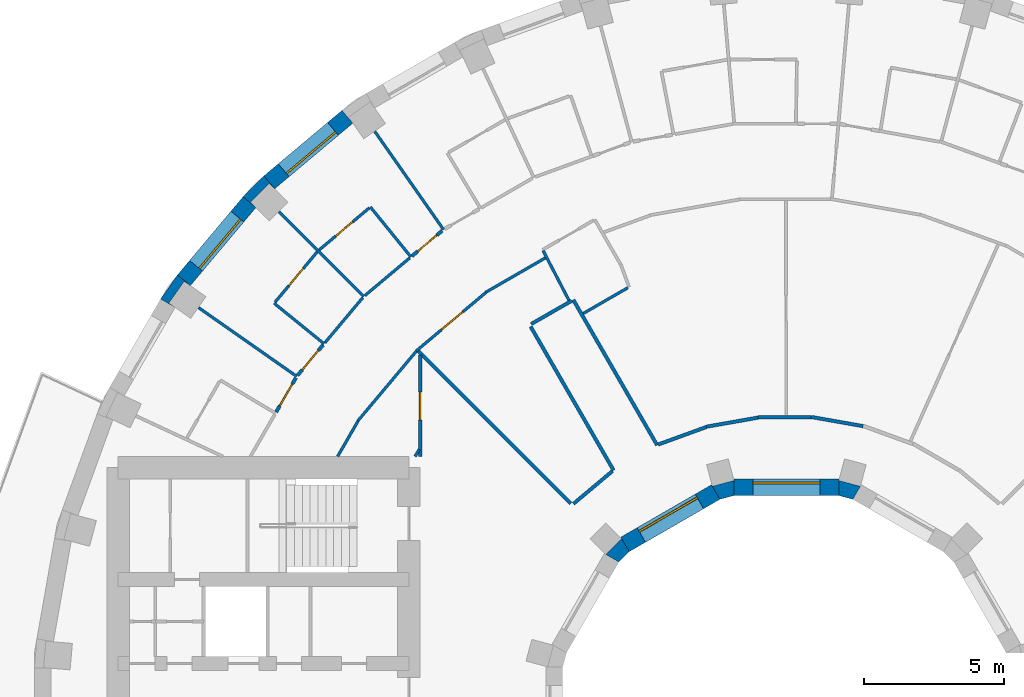
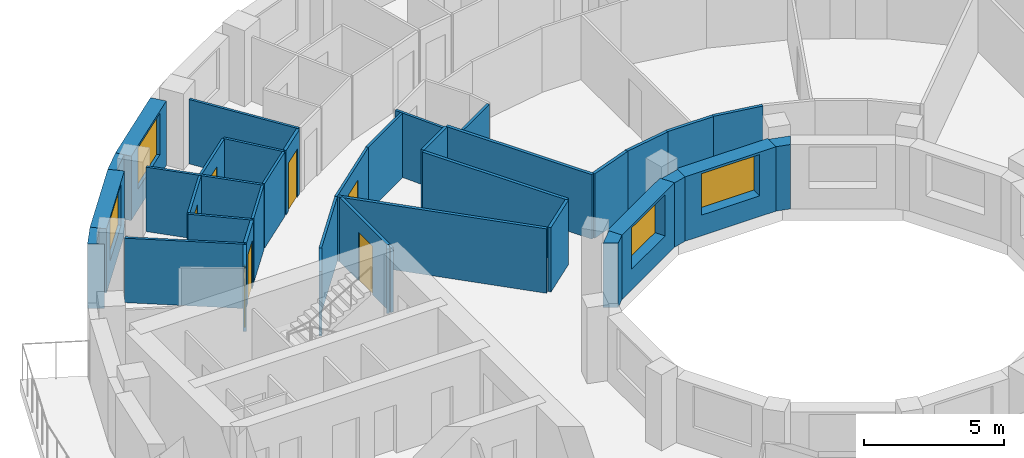
# One storey, part 8 of 13: 38 walls, 7 doors, 4 windows, 11 openings.
"""IFC4 building model written with IfcOpenShell, lengths in metres."""

from ifc_helpers import new_model, si_unit, direction, frame, frame_2d, origin, place, context, subcontext, project, spatial, polyline, rectangle, outline, extrude, material, layer, layer_set, type_object, element, fill, save


model = new_model("IFC4")

# Units and contexts
model_context = context("Model", 3, precision=1e-05, world=origin(), true_north=direction((0.0, 1.0)))
body_context = subcontext(model_context, "Body", "Model", "MODEL_VIEW")
ifc_project = project(units=[si_unit("LENGTHUNIT", "METRE"), si_unit("AREAUNIT", "SQUARE_METRE"), si_unit("VOLUMEUNIT", "CUBIC_METRE"), si_unit("PLANEANGLEUNIT", "RADIAN"), si_unit("MASSUNIT", "GRAM", prefix="KILO")], contexts=[model_context])

# Site, building, storey
site_placement = place(None, origin())
site = spatial("IfcSite", under=ifc_project, at=site_placement, CompositionType="ELEMENT")
building_placement = place(site_placement, origin())
building = spatial("IfcBuilding", under=site, at=building_placement, Name="Saqina Gate Tower", CompositionType="ELEMENT")
storey_placement = place(building_placement, frame((0.0, 0.0, 118.300048828125)))
storey = spatial("IfcBuildingStorey", under=building, at=storey_placement, Name="L33", CompositionType="ELEMENT", Elevation=118.300048828125)

# Walls
ifc_material_1 = material(Name="Brick masonry (buff)", Category="masonry")
wall_type_1 = type_object("IfcWallType", Name="BRICK PIER COPING BUFF", PredefinedType="SOLIDWALL", material=ifc_material_1)
wall_1_placement = place(storey_placement, origin())
element("IfcWall", 1, at=wall_1_placement, inside=storey, type_object=wall_type_1, Name="Pier cap L33 column 14", PredefinedType="SOLIDWALL", context=body_context, shape_type="SweptSolid", body=[
    extrude(outline(polyline([(-18.686279296875, 19.43212890625), (-19.43212890625, 18.686279296875), (-18.972412109375, 18.30078125), (-19.16259765625, 18.49072265625), (-18.49072265625, 19.16259765625), (-18.30078125, 18.972412109375), (-18.686279296875, 19.43212890625)])), origin(), (0.0, 0.0, 1.0), 2.800048828125),
])
wall_2_placement = place(storey_placement, origin())
element("IfcWall", 2, at=wall_2_placement, inside=storey, type_object=wall_type_1, Name="Pier cap L33 column 15", PredefinedType="SOLIDWALL", context=body_context, shape_type="SweptSolid", body=[
    extrude(outline(polyline([(-22.3818359375, 15.0283203125), (-21.862060546875, 14.728271484375), (-22.08251953125, 14.88232421875), (-21.53759765625, 15.66064453125), (-21.317138671875, 15.50634765625), (-21.77685546875, 15.89208984375), (-22.3818359375, 15.0283203125)])), origin(), (0.0, 0.0, 1.0), 2.800048828125),
])

# Wall, opening, window
ifc_material_2 = material(Name="Brick masonry (buff)", Category="masonry")
ifc_layer_1 = layer(ifc_material_2, 0.60009765625)
ifc_layer_set_1 = layer_set([ifc_layer_1], Name="FW-BRICK-BUFF")
wall_type_2 = type_object("IfcWallType", Name="FW-BRICK-BUFF", PredefinedType="SOLIDWALL", material=ifc_layer_set_1)
wall_3_placement = place(storey_placement, frame((-15.69921875, 21.547119140625, 0.0), z_axis=(0.0, 0.0, 1.0), x_axis=(-0.766055462616, -0.642774476932, 0.0)))
wall_3 = element("IfcWall", 3, at=wall_3_placement, inside=storey, type_object=wall_type_2, Name="Facade wall L33 facet 13", PredefinedType="SOLIDWALL", context=body_context, shape_type="SweptSolid", body=[
    extrude(rectangle(XDim=3.647705078125, YDim=0.60009765625, at=frame_2d((1.82373046875, 0.0))), origin(), (0.0, 0.0, 1.0), 2.800048828125),
])
opening_1_placement = place(wall_3_placement, frame((0.673828125, 0.0, 0.89990234375)))
opening_1 = element("IfcOpeningElement", 4, at=opening_1_placement, cuts=wall_3, Name="Opening G09-W11", PredefinedType="OPENING", context=body_context, shape_type="SweptSolid", body=[
    extrude(rectangle(XDim=2.300048828125, YDim=1.800048828125, at=frame_2d((1.14990234375, 0.89990234375))), frame((0.0, 0.31201171875, 0.0), z_axis=(0.0, -1.0, 0.0), x_axis=(1.0, 0.0, 0.0)), (0.0, 0.0, 1.0), 0.6240234375),
])
ifc_material_3 = material(Name="Aluminium glazing", Category="aluminium")
window_type_1 = type_object("IfcWindowType", Name="WN-B", PartitioningType="SINGLE_PANEL", PredefinedType="WINDOW", material=ifc_material_3)
window_1_placement = place(opening_1_placement, origin())
window_1 = element("IfcWindow", 5, at=window_1_placement, inside=storey, type_object=window_type_1, Name="Window L33 facet 13", OverallHeight=1.800048828125, OverallWidth=2.300048828125, PartitioningType="SINGLE_PANEL", PredefinedType="WINDOW", context=body_context, shape_type="SweptSolid", body=[
    extrude(rectangle(XDim=2.300048828125, YDim=1.800048828125, at=frame_2d((1.14990234375, 0.89990234375))), frame((0.0, 0.179931640625, 0.0), z_axis=(0.0, -1.0, 0.0), x_axis=(1.0, 0.0, 0.0)), (0.0, 0.0, 1.0), 0.06005859375),
])
fill(opening_1, window_1)

wall_4_placement = place(storey_placement, frame((-19.202392578125, 18.49365234375, 0.0), z_axis=(0.0, 0.0, 1.0), x_axis=(-0.642774476932, -0.766055462616, 0.0)))
wall_4 = element("IfcWall", 6, at=wall_4_placement, inside=storey, type_object=wall_type_2, Name="Facade wall L33 facet 14", PredefinedType="SOLIDWALL", context=body_context, shape_type="SweptSolid", body=[
    extrude(rectangle(XDim=3.647705078125, YDim=0.60009765625, at=frame_2d((1.82373046875, 0.0))), origin(), (0.0, 0.0, 1.0), 2.800048828125),
])
opening_2_placement = place(wall_4_placement, frame((0.673828125, 0.0, 0.89990234375)))
opening_2 = element("IfcOpeningElement", 7, at=opening_2_placement, cuts=wall_4, Name="Opening G09-W12", PredefinedType="OPENING", context=body_context, shape_type="SweptSolid", body=[
    extrude(rectangle(XDim=2.300048828125, YDim=1.800048828125, at=frame_2d((1.14990234375, 0.89990234375))), frame((0.0, 0.31201171875, 0.0), z_axis=(0.0, -1.0, 0.0), x_axis=(1.0, 0.0, 0.0)), (0.0, 0.0, 1.0), 0.6240234375),
])
window_2_placement = place(opening_2_placement, origin())
window_2 = element("IfcWindow", 8, at=window_2_placement, inside=storey, type_object=window_type_1, Name="Window L33 facet 14", OverallHeight=1.800048828125, OverallWidth=2.300048828125, PartitioningType="SINGLE_PANEL", PredefinedType="WINDOW", context=body_context, shape_type="SweptSolid", body=[
    extrude(rectangle(XDim=2.300048828125, YDim=1.800048828125, at=frame_2d((1.14990234375, 0.89990234375))), frame((0.0, 0.179931640625, 0.0), z_axis=(0.0, -1.0, 0.0), x_axis=(1.0, 0.0, 0.0)), (0.0, 0.0, 1.0), 0.06005859375),
])
fill(opening_2, window_2)

ifc_material_4 = material(Name="Glazed ceramic tile", Category="ceramic")
ifc_layer_2 = layer(ifc_material_4, 0.60009765625)
ifc_layer_set_2 = layer_set([ifc_layer_2], Name="IW-TILE")
wall_type_3 = type_object("IfcWallType", Name="IW-TILE", PredefinedType="SOLIDWALL", material=ifc_layer_set_2)
wall_5_placement = place(storey_placement, frame((1.873779296875, 8.300048828125, 0.0), z_axis=(0.0, 0.0, 1.0), x_axis=(-1.0, 0.0, 0.0)))
wall_5 = element("IfcWall", 9, at=wall_5_placement, inside=storey, type_object=wall_type_3, Name="Well wall L33 facet 3", PredefinedType="SOLIDWALL", context=body_context, shape_type="SweptSolid", body=[
    extrude(rectangle(XDim=3.74755859375, YDim=0.60009765625, at=frame_2d((1.873779296875, 0.0))), origin(), (0.0, 0.0, 1.0), 2.800048828125),
])
opening_3_placement = place(wall_5_placement, frame((0.673583984375, 0.0, 0.89990234375)))
opening_3 = element("IfcOpeningElement", 10, at=opening_3_placement, cuts=wall_5, Name="Opening G09-W28", PredefinedType="OPENING", context=body_context, shape_type="SweptSolid", body=[
    extrude(rectangle(XDim=2.39990234375, YDim=1.800048828125, at=frame_2d((1.199951171875, 0.89990234375))), frame((0.0, 0.31201171875, 0.0), z_axis=(0.0, -1.0, 0.0), x_axis=(1.0, 0.0, 0.0)), (0.0, 0.0, 1.0), 0.6240234375),
])
ifc_material_5 = material(Name="Aluminium glazing", Category="aluminium")
window_type_2 = type_object("IfcWindowType", Name="WN-W", PartitioningType="SINGLE_PANEL", PredefinedType="WINDOW", material=ifc_material_5)
window_3_placement = place(opening_3_placement, origin())
window_3 = element("IfcWindow", 11, at=window_3_placement, inside=storey, type_object=window_type_2, Name="Well window L33 facet 3", OverallHeight=1.800048828125, OverallWidth=2.39990234375, PartitioningType="SINGLE_PANEL", PredefinedType="WINDOW", context=body_context, shape_type="SweptSolid", body=[
    extrude(rectangle(XDim=2.39990234375, YDim=1.800048828125, at=frame_2d((1.199951171875, 0.89990234375))), frame((0.0, -0.119873046875, 0.0), z_axis=(0.0, -1.0, 0.0), x_axis=(1.0, 0.0, 0.0)), (0.0, 0.0, 1.0), 0.06005859375),
])
fill(opening_3, window_3)

wall_6_placement = place(storey_placement, frame((-2.52734375, 8.124755859375, 0.0), z_axis=(0.0, 0.0, 1.0), x_axis=(-0.86604563398, -0.499964958637, 0.0)))
wall_6 = element("IfcWall", 12, at=wall_6_placement, inside=storey, type_object=wall_type_3, Name="Well wall L33 facet 4", PredefinedType="SOLIDWALL", context=body_context, shape_type="SweptSolid", body=[
    extrude(rectangle(XDim=3.747314453125, YDim=0.60009765625, at=frame_2d((1.87353515625, 0.0))), origin(), (0.0, 0.0, 1.0), 2.800048828125),
])
opening_4_placement = place(wall_6_placement, frame((0.673583984375, 0.0, 0.89990234375)))
opening_4 = element("IfcOpeningElement", 13, at=opening_4_placement, cuts=wall_6, Name="Opening G09-W29", PredefinedType="OPENING", context=body_context, shape_type="SweptSolid", body=[
    extrude(rectangle(XDim=2.39990234375, YDim=1.800048828125, at=frame_2d((1.199951171875, 0.89990234375))), frame((0.0, 0.31201171875, 0.0), z_axis=(0.0, -1.0, 0.0), x_axis=(1.0, 0.0, 0.0)), (0.0, 0.0, 1.0), 0.6240234375),
])
window_4_placement = place(opening_4_placement, origin())
window_4 = element("IfcWindow", 14, at=window_4_placement, inside=storey, type_object=window_type_2, Name="Well window L33 facet 4", OverallHeight=1.800048828125, OverallWidth=2.39990234375, PartitioningType="SINGLE_PANEL", PredefinedType="WINDOW", context=body_context, shape_type="SweptSolid", body=[
    extrude(rectangle(XDim=2.39990234375, YDim=1.800048828125, at=frame_2d((1.199951171875, 0.89990234375))), frame((0.0, -0.119873046875, 0.0), z_axis=(0.0, -1.0, 0.0), x_axis=(1.0, 0.0, 0.0)), (0.0, 0.0, 1.0), 0.06005859375),
])
fill(opening_4, window_4)

# Walls
ifc_material_6 = material(Name="Gypsum board on steel studs, 100 mm", Category="steel")
ifc_layer_3 = layer(ifc_material_6, 0.10009765625)
ifc_layer_set_3 = layer_set([ifc_layer_3], Name="PARTITION 100")
wall_type_4 = type_object("IfcWallType", Name="PARTITION 100", PredefinedType="PARTITIONING", material=ifc_layer_set_3)
wall_7_placement = place(storey_placement, frame((-8.69873046875, 16.755859375, 0.0), z_axis=(0.0, 0.0, 1.0), x_axis=(0.461029785453, -0.887384661195, 0.0)))
element("IfcWall", 15, at=wall_7_placement, inside=storey, type_object=wall_type_4, Name="PARTITION PW3-10", PredefinedType="PARTITIONING", context=body_context, shape_type="SweptSolid", body=[
    extrude(rectangle(XDim=1.99951171875, YDim=0.10009765625, at=frame_2d((0.999755859375, 0.0))), origin(), (0.0, 0.0, 1.0), 2.800048828125),
])
wall_8_placement = place(storey_placement, frame((-14.720703125, 21.023681640625, 0.0), z_axis=(0.0, 0.0, 1.0), x_axis=(0.573546429028, -0.819173054824, 0.0)))
element("IfcWall", 16, at=wall_8_placement, inside=storey, type_object=wall_type_4, Name="PARTITION PW3-16", PredefinedType="PARTITIONING", context=body_context, shape_type="SweptSolid", body=[
    extrude(rectangle(XDim=4.286865234375, YDim=0.10009765625, at=frame_2d((2.1435546875, 0.0))), origin(), (0.0, 0.0, 1.0), 2.800048828125),
])
wall_9_placement = place(storey_placement, frame((-14.8779296875, 18.320068359375, 0.0), z_axis=(0.0, 0.0, 1.0), x_axis=(0.630256971768, -0.776386597989, 0.0)))
element("IfcWall", 17, at=wall_9_placement, inside=storey, type_object=wall_type_4, Name="PARTITION PW3-18", PredefinedType="PARTITIONING", context=body_context, shape_type="SweptSolid", body=[
    extrude(rectangle(XDim=2.300537109375, YDim=0.10009765625, at=frame_2d((1.150390625, 0.0))), origin(), (0.0, 0.0, 1.0), 2.800048828125),
])
wall_10_placement = place(storey_placement, frame((-18.14794921875, 18.14794921875, 0.0), z_axis=(0.0, 0.0, 1.0), x_axis=(0.707106781187, -0.707106781187, 0.0)))
element("IfcWall", 18, at=wall_10_placement, inside=storey, type_object=wall_type_4, Name="PARTITION PW3-23", PredefinedType="PARTITIONING", context=body_context, shape_type="SweptSolid", body=[
    extrude(rectangle(XDim=4.286376953125, YDim=0.10009765625, at=frame_2d((2.14306640625, 0.0))), origin(), (0.0, 0.0, 1.0), 2.800048828125),
])
wall_11_placement = place(storey_placement, frame((-18.320068359375, 14.8779296875, 0.0), z_axis=(0.0, 0.0, 1.0), x_axis=(0.776386597989, -0.630256971768, 0.0)))
element("IfcWall", 19, at=wall_11_placement, inside=storey, type_object=wall_type_4, Name="PARTITION PW3-28", PredefinedType="PARTITIONING", context=body_context, shape_type="SweptSolid", body=[
    extrude(rectangle(XDim=2.300537109375, YDim=0.10009765625, at=frame_2d((1.150390625, 0.0))), origin(), (0.0, 0.0, 1.0), 2.800048828125),
])
wall_12_placement = place(storey_placement, frame((-21.023681640625, 14.720703125, 0.0), z_axis=(0.0, 0.0, 1.0), x_axis=(0.819173054824, -0.573546429028, 0.0)))
element("IfcWall", 20, at=wall_12_placement, inside=storey, type_object=wall_type_4, Name="PARTITION PW3-29", PredefinedType="PARTITIONING", context=body_context, shape_type="SweptSolid", body=[
    extrude(rectangle(XDim=4.286865234375, YDim=0.10009765625, at=frame_2d((2.1435546875, 0.0))), origin(), (0.0, 0.0, 1.0), 2.800048828125),
])
wall_13_placement = place(storey_placement, frame((-7.2666015625, 14.510498046875, 0.0), z_axis=(0.0, 0.0, 1.0), x_axis=(0.865945322787, 0.500138678712, 0.0)))
element("IfcWall", 21, at=wall_13_placement, inside=storey, type_object=wall_type_4, Name="PARTITION PW3-67", PredefinedType="PARTITIONING", context=body_context, shape_type="SweptSolid", body=[
    extrude(rectangle(XDim=1.8447265625, YDim=0.10009765625, at=frame_2d((0.92236328125, 0.0))), origin(), (0.0, 0.0, 1.0), 2.800048828125),
])
wall_14_placement = place(storey_placement, frame((-10.7529296875, 15.2685546875, 0.0), z_axis=(0.0, 0.0, 1.0), x_axis=(0.866079862983, 0.499905662036, 0.0)))
element("IfcWall", 22, at=wall_14_placement, inside=storey, type_object=wall_type_4, Name="PARTITION PW3-68", PredefinedType="PARTITIONING", context=body_context, shape_type="SweptSolid", body=[
    extrude(rectangle(XDim=2.4609375, YDim=0.10009765625, at=frame_2d((1.23046875, 0.0))), origin(), (0.0, 0.0, 1.0), 2.800048828125),
])

# Wall, opening, door
wall_15_placement = place(storey_placement, frame((-13.240966796875, 13.16943359375, 0.0), z_axis=(0.0, 0.0, 1.0), x_axis=(0.766028328168, 0.642806814248, 0.0)))
wall_15 = element("IfcWall", 23, at=wall_15_placement, inside=storey, type_object=wall_type_4, Name="PARTITION PW3-74", PredefinedType="PARTITIONING", context=body_context, shape_type="SweptSolid", body=[
    extrude(rectangle(XDim=3.25537109375, YDim=0.10009765625, at=frame_2d((1.627685546875, 0.0))), origin(), (0.0, 0.0, 1.0), 2.800048828125),
])
opening_5_placement = place(wall_15_placement, frame((1.177978515625, 0.0, 0.0)))
opening_5 = element("IfcOpeningElement", 24, at=opening_5_placement, cuts=wall_15, Name="Opening G09-D22", PredefinedType="OPENING", context=body_context, shape_type="SweptSolid", body=[
    extrude(rectangle(XDim=1.0, YDim=2.10009765625, at=frame_2d((0.5, 1.050048828125))), frame((0.0, 0.06201171875, 0.0), z_axis=(0.0, -1.0, 0.0), x_axis=(1.0, 0.0, 0.0)), (0.0, 0.0, 1.0), 0.1240234375),
])
ifc_material_7 = material(Name="Timber door leaf, 1000 mm", Category="wood")
door_type_1 = type_object("IfcDoorType", Name="DOOR 1000 TIMBER", OperationType="SINGLE_SWING_LEFT", PredefinedType="DOOR", material=ifc_material_7)
door_1_placement = place(opening_5_placement, origin())
door_1 = element("IfcDoor", 25, at=door_1_placement, inside=storey, type_object=door_type_1, Name="DOOR G09-D22", OperationType="SINGLE_SWING_RIGHT", OverallHeight=2.10009765625, OverallWidth=1.0, PredefinedType="DOOR", context=body_context, shape_type="SweptSolid", body=[
    extrude(rectangle(XDim=1.0, YDim=2.10009765625, at=frame_2d((0.5, 1.050048828125))), frame((0.0, 0.02490234375, 0.0), z_axis=(0.0, -1.0, 0.0), x_axis=(1.0, 0.0, 0.0)), (0.0, 0.0, 1.0), 0.050048828125),
])
fill(opening_5, door_1)

# Wall
wall_16_placement = place(storey_placement, frame((-15.07763671875, 15.14990234375, 0.0), z_axis=(0.0, 0.0, 1.0), x_axis=(0.766047733122, 0.642783688793, 0.0)))
element("IfcWall", 26, at=wall_16_placement, inside=storey, type_object=wall_type_4, Name="PARTITION PW3-75", PredefinedType="PARTITIONING", context=body_context, shape_type="SweptSolid", body=[
    extrude(rectangle(XDim=2.103515625, YDim=0.10009765625, at=frame_2d((1.0517578125, 0.0))), origin(), (0.0, 0.0, 1.0), 2.800048828125),
])

# Wall, opening, door
wall_17_placement = place(storey_placement, frame((-16.711669921875, 16.7822265625, 0.0), z_axis=(0.0, 0.0, 1.0), x_axis=(0.766236222747, 0.642558986359, 0.0)))
wall_17 = element("IfcWall", 27, at=wall_17_placement, inside=storey, type_object=wall_type_4, Name="PARTITION PW3-76", PredefinedType="PARTITIONING", context=body_context, shape_type="SweptSolid", body=[
    extrude(rectangle(XDim=2.34326171875, YDim=0.10009765625, at=frame_2d((1.171630859375, 0.0))), origin(), (0.0, 0.0, 1.0), 2.800048828125),
])
opening_6_placement = place(wall_17_placement, frame((0.771484375, 0.0, 0.0)))
opening_6 = element("IfcOpeningElement", 28, at=opening_6_placement, cuts=wall_17, Name="Opening G09-D23", PredefinedType="OPENING", context=body_context, shape_type="SweptSolid", body=[
    extrude(rectangle(XDim=0.800048828125, YDim=2.10009765625, at=frame_2d((0.39990234375, 1.050048828125))), frame((0.0, 0.06201171875, 0.0), z_axis=(0.0, -1.0, 0.0), x_axis=(1.0, 0.0, 0.0)), (0.0, 0.0, 1.0), 0.1240234375),
])
ifc_material_8 = material(Name="Timber door leaf, 800 mm", Category="wood")
door_type_2 = type_object("IfcDoorType", Name="DOOR 800 TIMBER", OperationType="SINGLE_SWING_LEFT", PredefinedType="DOOR", material=ifc_material_8)
door_2_placement = place(opening_6_placement, origin())
door_2 = element("IfcDoor", 29, at=door_2_placement, inside=storey, type_object=door_type_2, Name="DOOR G09-D23", OperationType="SINGLE_SWING_LEFT", OverallHeight=2.10009765625, OverallWidth=0.800048828125, PredefinedType="DOOR", context=body_context, shape_type="SweptSolid", body=[
    extrude(rectangle(XDim=0.800048828125, YDim=2.10009765625, at=frame_2d((0.39990234375, 1.050048828125))), frame((0.0, 0.02490234375, 0.0), z_axis=(0.0, -1.0, 0.0), x_axis=(1.0, 0.0, 0.0)), (0.0, 0.0, 1.0), 0.050048828125),
])
fill(opening_6, door_2)

# Walls
wall_18_placement = place(storey_placement, frame((-15.32666015625, 10.670166015625, 0.0), z_axis=(0.0, 0.0, 1.0), x_axis=(0.642806814248, 0.766028328168, 0.0)))
element("IfcWall", 30, at=wall_18_placement, inside=storey, type_object=wall_type_4, Name="PARTITION PW3-80", PredefinedType="PARTITIONING", context=body_context, shape_type="SweptSolid", body=[
    extrude(rectangle(XDim=3.25537109375, YDim=0.10009765625, at=frame_2d((1.627685546875, 0.0))), origin(), (0.0, 0.0, 1.0), 2.800048828125),
])
wall_19_placement = place(storey_placement, frame((-16.501953125, 13.46630859375, 0.0), z_axis=(0.0, 0.0, 1.0), x_axis=(0.642783688793, 0.766047733122, 0.0)))
element("IfcWall", 31, at=wall_19_placement, inside=storey, type_object=wall_type_4, Name="PARTITION PW3-81", PredefinedType="PARTITIONING", context=body_context, shape_type="SweptSolid", body=[
    extrude(rectangle(XDim=2.103515625, YDim=0.10009765625, at=frame_2d((1.0517578125, 0.0))), origin(), (0.0, 0.0, 1.0), 2.800048828125),
])

# Wall, opening, door
wall_20_placement = place(storey_placement, frame((-18.287841796875, 14.916259765625, 0.0), z_axis=(0.0, 0.0, 1.0), x_axis=(0.642558986359, 0.766236222747, 0.0)))
wall_20 = element("IfcWall", 32, at=wall_20_placement, inside=storey, type_object=wall_type_4, Name="PARTITION PW3-82", PredefinedType="PARTITIONING", context=body_context, shape_type="SweptSolid", body=[
    extrude(rectangle(XDim=2.34326171875, YDim=0.10009765625, at=frame_2d((1.171630859375, 0.0))), origin(), (0.0, 0.0, 1.0), 2.800048828125),
])
opening_7_placement = place(wall_20_placement, frame((0.771484375, 0.0, 0.0)))
opening_7 = element("IfcOpeningElement", 33, at=opening_7_placement, cuts=wall_20, Name="Opening G09-D24", PredefinedType="OPENING", context=body_context, shape_type="SweptSolid", body=[
    extrude(rectangle(XDim=0.800048828125, YDim=2.10009765625, at=frame_2d((0.39990234375, 1.050048828125))), frame((0.0, 0.06201171875, 0.0), z_axis=(0.0, -1.0, 0.0), x_axis=(1.0, 0.0, 0.0)), (0.0, 0.0, 1.0), 0.1240234375),
])
door_3_placement = place(opening_7_placement, origin())
door_3 = element("IfcDoor", 34, at=door_3_placement, inside=storey, type_object=door_type_2, Name="DOOR G09-D24", OperationType="SINGLE_SWING_LEFT", OverallHeight=2.10009765625, OverallWidth=0.800048828125, PredefinedType="DOOR", context=body_context, shape_type="SweptSolid", body=[
    extrude(rectangle(XDim=0.800048828125, YDim=2.10009765625, at=frame_2d((0.39990234375, 1.050048828125))), frame((0.0, 0.02490234375, 0.0), z_axis=(0.0, -1.0, 0.0), x_axis=(1.0, 0.0, 0.0)), (0.0, 0.0, 1.0), 0.050048828125),
])
fill(opening_7, door_3)

# Walls
wall_21_placement = place(storey_placement, frame((-16.049072265625, 9.39990234375, 0.0), z_axis=(0.0, 0.0, 1.0), x_axis=(0.499553700297, 0.866282921752, 0.0)))
element("IfcWall", 35, at=wall_21_placement, inside=storey, type_object=wall_type_4, Name="PARTITION PW3-88", PredefinedType="PARTITIONING", context=body_context, shape_type="SweptSolid", body=[
    extrude(rectangle(XDim=1.461181640625, YDim=0.10009765625, at=frame_2d((0.73046875, 0.0))), origin(), (0.0, 0.0, 1.0), 2.800048828125),
])
wall_22_placement = place(storey_placement, frame((-13.278076171875, 9.40087890625, 0.0), z_axis=(0.0, 0.0, 1.0), x_axis=(0.49953088146, 0.866296080141, 0.0)))
element("IfcWall", 36, at=wall_22_placement, inside=storey, type_object=wall_type_4, Name="PARTITION PW3-91", PredefinedType="PARTITIONING", context=body_context, shape_type="SweptSolid", body=[
    extrude(rectangle(XDim=0.294189453125, YDim=0.10009765625, at=frame_2d((0.14697265625, 0.0))), origin(), (0.0, 0.0, 1.0), 2.800048828125),
])
ifc_material_9 = material(Name="Gypsum board on steel studs, 125 mm, fire rated", Category="steel")
ifc_layer_4 = layer(ifc_material_9, 0.125)
ifc_layer_set_4 = layer_set([ifc_layer_4], Name="PARTITION EI 30 125")
wall_type_5 = type_object("IfcWallType", Name="PARTITION EI 30 125", PredefinedType="PARTITIONING", material=ifc_layer_set_4)
wall_23_placement = place(storey_placement, frame((-9.146728515625, 14.043212890625, 0.0), z_axis=(0.0, 0.0, 1.0), x_axis=(0.499891007886, -0.866088321267, 0.0)))
element("IfcWall", 37, at=wall_23_placement, inside=storey, type_object=wall_type_5, Name="PARTITION PW1-01", PredefinedType="PARTITIONING", context=body_context, shape_type="SweptSolid", body=[
    extrude(rectangle(XDim=5.934814453125, YDim=0.125, at=frame_2d((2.96728515625, 0.0))), origin(), (0.0, 0.0, 1.0), 2.800048828125),
])
wall_24_placement = place(storey_placement, frame((-7.62109375, 14.9990234375, 0.0), z_axis=(0.0, 0.0, 1.0), x_axis=(0.499745940409, -0.866172035478, 0.0)))
element("IfcWall", 38, at=wall_24_placement, inside=storey, type_object=wall_type_5, Name="PARTITION PW1-02", PredefinedType="PARTITIONING", context=body_context, shape_type="SweptSolid", body=[
    extrude(rectangle(XDim=5.9990234375, YDim=0.125, at=frame_2d((2.99951171875, 0.0))), origin(), (0.0, 0.0, 1.0), 2.800048828125),
])
wall_25_placement = place(storey_placement, frame((-13.16650390625, 13.16650390625, 0.0), z_axis=(0.0, 0.0, 1.0), x_axis=(0.707106781187, -0.707106781187, 0.0)))
element("IfcWall", 39, at=wall_25_placement, inside=storey, type_object=wall_type_5, Name="PARTITION PW1-06", PredefinedType="PARTITIONING", context=body_context, shape_type="SweptSolid", body=[
    extrude(rectangle(XDim=7.71630859375, YDim=0.125, at=frame_2d((3.858154296875, 0.0))), origin(), (0.0, 0.0, 1.0), 2.800048828125),
])
wall_26_placement = place(storey_placement, frame((0.882568359375, 10.81103515625, 0.0), z_axis=(0.0, 0.0, 1.0), x_axis=(0.984822536066, -0.173564317922, 0.0)))
element("IfcWall", 40, at=wall_26_placement, inside=storey, type_object=wall_type_5, Name="PARTITION PW1-21", PredefinedType="PARTITIONING", context=body_context, shape_type="SweptSolid", body=[
    extrude(rectangle(XDim=1.890625, YDim=0.125, at=frame_2d((0.9453125, 0.0))), origin(), (0.0, 0.0, 1.0), 2.800048828125),
])
wall_27_placement = place(storey_placement, frame((-1.008544921875, 10.800048828125, 0.0), z_axis=(0.0, 0.0, 1.0), x_axis=(1.0, 0.0, 0.0)))
element("IfcWall", 41, at=wall_27_placement, inside=storey, type_object=wall_type_5, Name="PARTITION PW1-25", PredefinedType="PARTITIONING", context=body_context, shape_type="SweptSolid", body=[
    extrude(rectangle(XDim=1.89111328125, YDim=0.125, at=frame_2d((0.945556640625, 0.0))), origin(), (0.0, 0.0, 1.0), 2.800048828125),
])
wall_28_placement = place(storey_placement, frame((-2.8681640625, 10.4609375, 0.0), z_axis=(0.0, 0.0, 1.0), x_axis=(0.984818645033, 0.173586394613, 0.0)))
element("IfcWall", 42, at=wall_28_placement, inside=storey, type_object=wall_type_5, Name="PARTITION PW1-30", PredefinedType="PARTITIONING", context=body_context, shape_type="SweptSolid", body=[
    extrude(rectangle(XDim=1.890380859375, YDim=0.125, at=frame_2d((0.9453125, 0.0))), origin(), (0.0, 0.0, 1.0), 2.800048828125),
])
wall_29_placement = place(storey_placement, frame((-4.58203125, 9.825927734375, 0.0), z_axis=(0.0, 0.0, 1.0), x_axis=(0.939758316357, 0.341839592261, 0.0)))
element("IfcWall", 43, at=wall_29_placement, inside=storey, type_object=wall_type_5, Name="PARTITION PW1-32", PredefinedType="PARTITIONING", context=body_context, shape_type="SweptSolid", body=[
    extrude(rectangle(XDim=1.82763671875, YDim=0.125, at=frame_2d((0.913818359375, 0.0))), origin(), (0.0, 0.0, 1.0), 2.800048828125),
])
wall_30_placement = place(storey_placement, frame((-9.126708984375, 14.133544921875, 0.0), z_axis=(0.0, 0.0, 1.0), x_axis=(0.866992941954, 0.498320417604, 0.0)))
element("IfcWall", 44, at=wall_30_placement, inside=storey, type_object=wall_type_5, Name="PARTITION PW1-34", PredefinedType="PARTITIONING", context=body_context, shape_type="SweptSolid", body=[
    extrude(rectangle(XDim=1.674072265625, YDim=0.125, at=frame_2d((0.8369140625, 0.0))), origin(), (0.0, 0.0, 1.0), 2.800048828125),
])
wall_31_placement = place(storey_placement, frame((-7.6171875, 7.7041015625, 0.0), z_axis=(0.0, 0.0, 1.0), x_axis=(0.7660388271, 0.642794302538, 0.0)))
element("IfcWall", 45, at=wall_31_placement, inside=storey, type_object=wall_type_5, Name="PARTITION PW1-40", PredefinedType="PARTITIONING", context=body_context, shape_type="SweptSolid", body=[
    extrude(rectangle(XDim=1.828369140625, YDim=0.125, at=frame_2d((0.9140625, 0.0))), origin(), (0.0, 0.0, 1.0), 2.800048828125),
])

# Wall, opening, door
wall_32_placement = place(storey_placement, frame((-13.3896484375, 16.566162109375, 0.0), z_axis=(0.0, 0.0, 1.0), x_axis=(0.766158527395, 0.642651624833, 0.0)))
wall_32 = element("IfcWall", 46, at=wall_32_placement, inside=storey, type_object=wall_type_5, Name="PARTITION PW1-41", PredefinedType="PARTITIONING", context=body_context, shape_type="SweptSolid", body=[
    extrude(rectangle(XDim=1.409423828125, YDim=0.125, at=frame_2d((0.70458984375, 0.0))), origin(), (0.0, 0.0, 1.0), 2.800048828125),
])
opening_8_placement = place(wall_32_placement, frame((0.260986328125, 0.0, 0.0)))
opening_8 = element("IfcOpeningElement", 47, at=opening_8_placement, cuts=wall_32, Name="Opening G09-D21", PredefinedType="OPENING", context=body_context, shape_type="SweptSolid", body=[
    extrude(rectangle(XDim=0.89990234375, YDim=2.10009765625, at=frame_2d((0.449951171875, 1.050048828125))), frame((0.0, 0.074462890625, 0.0), z_axis=(0.0, -1.0, 0.0), x_axis=(1.0, 0.0, 0.0)), (0.0, 0.0, 1.0), 0.14892578125),
])
ifc_material_10 = material(Name="Fire door leaf EI 30, 900 mm")
door_type_3 = type_object("IfcDoorType", Name="DOOR 900 EI 30", OperationType="SINGLE_SWING_LEFT", PredefinedType="DOOR", material=ifc_material_10)
door_4_placement = place(opening_8_placement, frame((0.89990234375, 0.0, 0.0), z_axis=(0.0, 0.0, 1.0), x_axis=(-1.0, 0.0, 0.0)))
door_4 = element("IfcDoor", 48, at=door_4_placement, inside=storey, type_object=door_type_3, Name="DOOR G09-D21", OperationType="SINGLE_SWING_LEFT", OverallHeight=2.10009765625, OverallWidth=0.89990234375, PredefinedType="DOOR", context=body_context, shape_type="SweptSolid", body=[
    extrude(rectangle(XDim=0.89990234375, YDim=2.10009765625, at=frame_2d((0.449951171875, 1.050048828125))), frame((0.0, 0.02490234375, 0.0), z_axis=(0.0, -1.0, 0.0), x_axis=(1.0, 0.0, 0.0)), (0.0, 0.0, 1.0), 0.050048828125),
])
fill(opening_8, door_4)

wall_33_placement = place(storey_placement, frame((-17.47998046875, 12.30029296875, 0.0), z_axis=(0.0, 0.0, 1.0), x_axis=(0.642680541645, 0.766134271124, 0.0)))
wall_33 = element("IfcWall", 49, at=wall_33_placement, inside=storey, type_object=wall_type_5, Name="PARTITION PW1-44", PredefinedType="PARTITIONING", context=body_context, shape_type="SweptSolid", body=[
    extrude(rectangle(XDim=1.421875, YDim=0.125, at=frame_2d((0.7109375, 0.0))), origin(), (0.0, 0.0, 1.0), 2.800048828125),
])
opening_9_placement = place(wall_33_placement, frame((0.260986328125, 0.0, 0.0)))
opening_9 = element("IfcOpeningElement", 50, at=opening_9_placement, cuts=wall_33, Name="Opening G09-D26", PredefinedType="OPENING", context=body_context, shape_type="SweptSolid", body=[
    extrude(rectangle(XDim=0.89990234375, YDim=2.10009765625, at=frame_2d((0.449951171875, 1.050048828125))), frame((0.0, 0.074462890625, 0.0), z_axis=(0.0, -1.0, 0.0), x_axis=(1.0, 0.0, 0.0)), (0.0, 0.0, 1.0), 0.14892578125),
])
door_5_placement = place(opening_9_placement, frame((0.89990234375, 0.0, 0.0), z_axis=(0.0, 0.0, 1.0), x_axis=(-1.0, 0.0, 0.0)))
door_5 = element("IfcDoor", 51, at=door_5_placement, inside=storey, type_object=door_type_3, Name="DOOR G09-D26", OperationType="SINGLE_SWING_RIGHT", OverallHeight=2.10009765625, OverallWidth=0.89990234375, PredefinedType="DOOR", context=body_context, shape_type="SweptSolid", body=[
    extrude(rectangle(XDim=0.89990234375, YDim=2.10009765625, at=frame_2d((0.449951171875, 1.050048828125))), frame((0.0, 0.02490234375, 0.0), z_axis=(0.0, -1.0, 0.0), x_axis=(1.0, 0.0, 0.0)), (0.0, 0.0, 1.0), 0.050048828125),
])
fill(opening_9, door_5)

wall_34_placement = place(storey_placement, frame((-18.248046875, 10.9873046875, 0.0), z_axis=(0.0, 0.0, 1.0), x_axis=(0.500107311056, 0.865963438852, 0.0)))
wall_34 = element("IfcWall", 52, at=wall_34_placement, inside=storey, type_object=wall_type_5, Name="PARTITION PW1-46", PredefinedType="PARTITIONING", context=body_context, shape_type="SweptSolid", body=[
    extrude(rectangle(XDim=1.409423828125, YDim=0.125, at=frame_2d((0.70458984375, 0.0))), origin(), (0.0, 0.0, 1.0), 2.800048828125),
])
opening_10_placement = place(wall_34_placement, frame((0.260986328125, 0.0, 0.0)))
opening_10 = element("IfcOpeningElement", 53, at=opening_10_placement, cuts=wall_34, Name="Opening G09-D27", PredefinedType="OPENING", context=body_context, shape_type="SweptSolid", body=[
    extrude(rectangle(XDim=0.89990234375, YDim=2.10009765625, at=frame_2d((0.449951171875, 1.050048828125))), frame((0.0, 0.074462890625, 0.0), z_axis=(0.0, -1.0, 0.0), x_axis=(1.0, 0.0, 0.0)), (0.0, 0.0, 1.0), 0.14892578125),
])
door_6_placement = place(opening_10_placement, frame((0.89990234375, 0.0, 0.0), z_axis=(0.0, 0.0, 1.0), x_axis=(-1.0, 0.0, 0.0)))
door_6 = element("IfcDoor", 54, at=door_6_placement, inside=storey, type_object=door_type_3, Name="DOOR G09-D27", OperationType="SINGLE_SWING_LEFT", OverallHeight=2.10009765625, OverallWidth=0.89990234375, PredefinedType="DOOR", context=body_context, shape_type="SweptSolid", body=[
    extrude(rectangle(XDim=0.89990234375, YDim=2.10009765625, at=frame_2d((0.449951171875, 1.050048828125))), frame((0.0, 0.02490234375, 0.0), z_axis=(0.0, -1.0, 0.0), x_axis=(1.0, 0.0, 0.0)), (0.0, 0.0, 1.0), 0.050048828125),
])
fill(opening_10, door_6)

wall_35_placement = place(storey_placement, frame((-13.10009765625, 9.39990234375, 0.0), z_axis=(0.0, 0.0, 1.0), x_axis=(0.0, 1.0, 0.0)))
wall_35 = element("IfcWall", 55, at=wall_35_placement, inside=storey, type_object=wall_type_5, Name="PARTITION PW1-52", PredefinedType="PARTITIONING", context=body_context, shape_type="SweptSolid", body=[
    extrude(rectangle(XDim=3.632568359375, YDim=0.125, at=frame_2d((1.81640625, 0.0))), origin(), (0.0, 0.0, 1.0), 2.800048828125),
])
opening_11_placement = place(wall_35_placement, frame((1.302490234375, 0.0, 0.0)))
opening_11 = element("IfcOpeningElement", 56, at=opening_11_placement, cuts=wall_35, Name="Opening G09-D25", PredefinedType="OPENING", context=body_context, shape_type="SweptSolid", body=[
    extrude(rectangle(XDim=1.0, YDim=2.10009765625, at=frame_2d((0.5, 1.050048828125))), frame((0.0, 0.074462890625, 0.0), z_axis=(0.0, -1.0, 0.0), x_axis=(1.0, 0.0, 0.0)), (0.0, 0.0, 1.0), 0.14892578125),
])
ifc_material_11 = material(Name="Fire door leaf EI 30, 1000 mm")
door_type_4 = type_object("IfcDoorType", Name="DOOR 1000 EI 30", OperationType="SINGLE_SWING_LEFT", PredefinedType="DOOR", material=ifc_material_11)
door_7_placement = place(opening_11_placement, origin())
door_7 = element("IfcDoor", 57, at=door_7_placement, inside=storey, type_object=door_type_4, Name="DOOR G09-D25", OperationType="SINGLE_SWING_RIGHT", OverallHeight=2.10009765625, OverallWidth=1.0, PredefinedType="DOOR", context=body_context, shape_type="SweptSolid", body=[
    extrude(rectangle(XDim=1.0, YDim=2.10009765625, at=frame_2d((0.5, 1.050048828125))), frame((0.0, 0.02490234375, 0.0), z_axis=(0.0, -1.0, 0.0), x_axis=(1.0, 0.0, 0.0)), (0.0, 0.0, 1.0), 0.050048828125),
])
fill(opening_11, door_7)

# Walls
ifc_material_12 = material(Name="Glazed ceramic tile", Category="ceramic")
wall_type_6 = type_object("IfcWallType", Name="TILE PIER COPING", PredefinedType="SOLIDWALL", material=ifc_material_12)
wall_36_placement = place(storey_placement, origin())
element("IfcWall", 58, at=wall_36_placement, inside=storey, type_object=wall_type_6, Name="Well pier cap L33 column 3", PredefinedType="SOLIDWALL", context=body_context, shape_type="SweptSolid", body=[
    extrude(outline(polyline([(1.873779296875, 8.5380859375), (1.873779296875, 8.0), (2.377197265625, 7.864990234375), (2.646484375, 8.3310546875), (1.873779296875, 8.5380859375)])), origin(), (0.0, 0.0, 1.0), 2.800048828125),
])
wall_37_placement = place(storey_placement, origin())
element("IfcWall", 59, at=wall_37_placement, inside=storey, type_object=wall_type_6, Name="Well pier cap L33 column 4", PredefinedType="SOLIDWALL", context=body_context, shape_type="SweptSolid", body=[
    extrude(outline(polyline([(-2.646484375, 8.3310546875), (-2.377197265625, 7.864990234375), (-1.873779296875, 8.0), (-1.873779296875, 8.5380859375), (-2.646484375, 8.3310546875)])), origin(), (0.0, 0.0, 1.0), 2.800048828125),
])
wall_38_placement = place(storey_placement, origin())
element("IfcWall", 60, at=wall_38_placement, inside=storey, type_object=wall_type_6, Name="Well pier cap L33 column 5", PredefinedType="SOLIDWALL", context=body_context, shape_type="SweptSolid", body=[
    extrude(outline(polyline([(-6.45751953125, 5.891845703125), (-5.991455078125, 5.622802734375), (-5.622802734375, 5.991455078125), (-5.891845703125, 6.45751953125), (-6.45751953125, 5.891845703125)])), origin(), (0.0, 0.0, 1.0), 2.800048828125),
])

save(model, "model.ifc")
